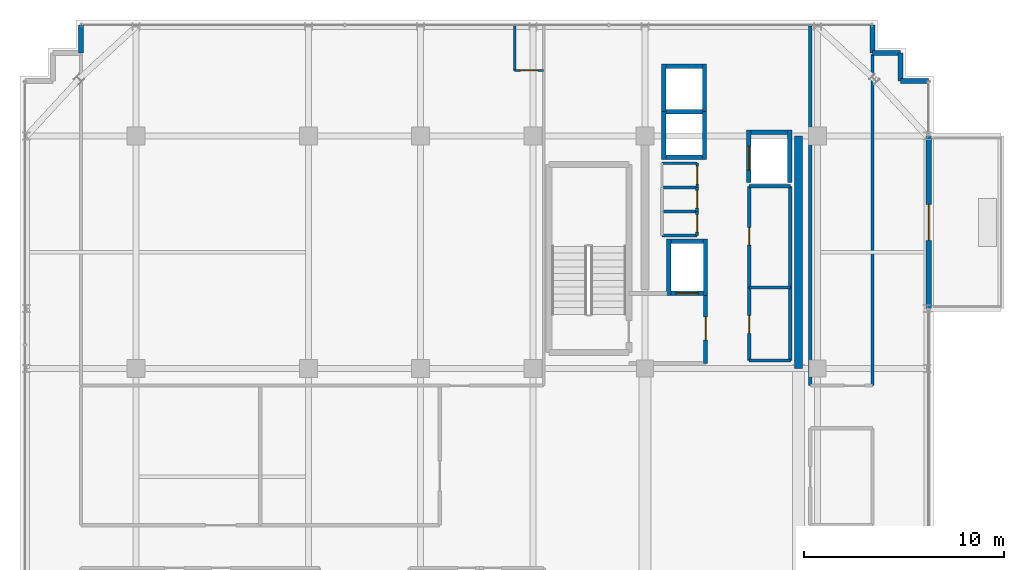
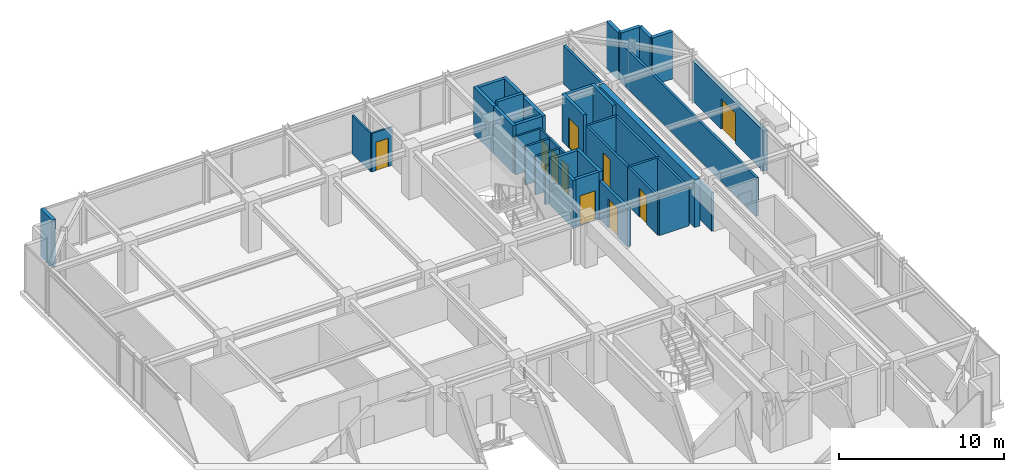
# One storey, part 29 of 33: 40 walls, 10 doors, 10 openings.
"""IFC4 building model written with IfcOpenShell, lengths in metres."""

import ifcopenshell
import ifcopenshell.guid

model = None  # the IFC model being written
_history = None  # IfcOwnerHistory: only IFC2X3 demands one
_inside = {}  # id of a spatial element -> (the spatial element, [elements in it])
_under = {}  # id of a project, library or spatial element -> (it, [spatial elements below it])
_declared = {}  # id of a project -> (the project, [libraries it declares])
_typed = {}  # id of a type object -> (the type object, [elements of that type])
_made_of = {}  # id of a material, layer set ... -> (it, [elements and type objects made of it])


def new_model(schema):
    """Start an empty IFC model of exactly this schema.

    Asked for "IFC4X3", IfcOpenShell would pick the latest addendum, in which some entities
    have other attributes; the version numbers below select the first issue.
    IFC2X3 requires an IfcOwnerHistory on every rooted entity: one is made here for all.
    """
    global model, _history
    if schema == "IFC4X3":
        model = ifcopenshell.file(schema_version=(4, 3, 0, 0))
    else:
        model = ifcopenshell.file(schema=schema)
    _inside.clear()
    _under.clear()
    _declared.clear()
    _typed.clear()
    _made_of.clear()
    _history = None
    if model.schema == "IFC2X3":
        org = make("IfcOrganization", Name="unknown")
        user = make(
            "IfcPersonAndOrganization",
            ThePerson=make("IfcPerson", FamilyName="unknown"),
            TheOrganization=org,
        )
        app = make(
            "IfcApplication",
            ApplicationDeveloper=org,
            Version="unknown",
            ApplicationFullName="unknown",
            ApplicationIdentifier="unknown",
        )
        _history = make(
            "IfcOwnerHistory",
            OwningUser=user,
            OwningApplication=app,
            ChangeAction="ADDED",
            CreationDate=0,
        )
    return model


def make(cls, **values):
    """One entity of the class cls with the attributes given. An attribute that is None is left unset."""
    return model.create_entity(
        cls, **{name: value for name, value in values.items() if value is not None}
    )


def rooted(cls, **values):
    """An entity with a GlobalId (a new one), such as an element, a storey or a relation."""
    return make(cls, GlobalId=ifcopenshell.guid.new(), OwnerHistory=_history, **values)


def si_unit(unit_type, name, prefix=None):
    """IfcSIUnit, for example si_unit("LENGTHUNIT", "METRE", prefix="MILLI")."""
    return make("IfcSIUnit", UnitType=unit_type, Prefix=prefix, Name=name)


def assignment(units):
    """IfcUnitAssignment: the units of a project."""
    return None if units is None else make("IfcUnitAssignment", Units=units)


def point(xyz):
    """IfcCartesianPoint."""
    return None if xyz is None else make("IfcCartesianPoint", Coordinates=xyz)


def direction(xyz):
    """IfcDirection."""
    return None if xyz is None else make("IfcDirection", DirectionRatios=xyz)


def frame(location, z_axis=None, x_axis=None):
    """IfcAxis2Placement3D, a coordinate frame: its origin and axes. An axis left out is left unset."""
    return make(
        "IfcAxis2Placement3D",
        Location=point(location),
        Axis=direction(z_axis),
        RefDirection=direction(x_axis),
    )


def frame_2d(location, x_axis=None):
    """IfcAxis2Placement2D, a coordinate frame in the plane: its origin and x axis."""
    return make(
        "IfcAxis2Placement2D", Location=point(location), RefDirection=direction(x_axis)
    )


def origin():
    """The frame at (0, 0, 0) with its axes left unset."""
    return frame((0.0, 0.0, 0.0))


def place(relative_to, where):
    """IfcLocalPlacement: puts the frame where relative to a parent placement (None: the world)."""
    return make(
        "IfcLocalPlacement", PlacementRelTo=relative_to, RelativePlacement=where
    )


def context(
    kind, dimensions, precision=None, world=None, true_north=None, identifier=None
):
    """IfcGeometricRepresentationContext, for example the 3D "Model" context."""
    return make(
        "IfcGeometricRepresentationContext",
        ContextIdentifier=identifier,
        ContextType=kind,
        CoordinateSpaceDimension=dimensions,
        Precision=precision,
        WorldCoordinateSystem=world,
        TrueNorth=true_north,
    )


def subcontext(parent, identifier, kind, view, scale=None):
    """IfcGeometricRepresentationSubContext, for example "Body" below "Model"."""
    return make(
        "IfcGeometricRepresentationSubContext",
        ContextIdentifier=identifier,
        ContextType=kind,
        ParentContext=parent,
        TargetScale=scale,
        TargetView=view,
    )


def project(units=None, contexts=None):
    """IfcProject with its units and contexts."""
    return rooted(
        "IfcProject",
        Name="project",
        RepresentationContexts=contexts,
        UnitsInContext=assignment(units),
    )


def spatial(cls, under=None, at=None, **own):
    """A site, building, storey or space (cls), placed at a placement, below another one or the project."""
    s = rooted(cls, ObjectPlacement=at, **own)
    if under is not None:
        _under.setdefault(under.id(), (under, []))[1].append(s)
    return s


def profile(cls, at=None, kind="AREA", **sizes):
    """A parametric profile (cls). Its sizes go by their IFC names, for example OverallWidth=200.0."""
    return make(cls, ProfileType=kind, Position=at, **sizes)


def rectangle(**sizes):
    """IfcRectangleProfileDef."""
    return profile("IfcRectangleProfileDef", **sizes)


def extrude(swept, where, along, depth):
    """IfcExtrudedAreaSolid: the profile swept, set in the frame where, extruded along a direction by depth."""
    return make(
        "IfcExtrudedAreaSolid",
        SweptArea=swept,
        Position=where,
        ExtrudedDirection=direction(along),
        Depth=depth,
    )


def shape(context_of_items, identifier, shape_type, items):
    """IfcShapeRepresentation: the items that make up one representation, for example the "Body"."""
    return make(
        "IfcShapeRepresentation",
        ContextOfItems=context_of_items,
        RepresentationIdentifier=identifier,
        RepresentationType=shape_type,
        Items=items,
    )


def source(mapping_origin, context_of_items, identifier, shape_type, items):
    """IfcRepresentationMap: a shape defined once, which mapped items show again and again."""
    return make(
        "IfcRepresentationMap",
        MappingOrigin=mapping_origin,
        MappedRepresentation=shape(context_of_items, identifier, shape_type, items),
    )


def transform(
    local_origin,
    x_axis=None,
    y_axis=None,
    z_axis=None,
    scale=None,
    scale2=None,
    scale3=None,
    uniform=True,
):
    """IfcCartesianTransformationOperator3D, or its non-uniform kind. x_axis, y_axis, z_axis: its Axis1, 2, 3."""
    if uniform:
        return make(
            "IfcCartesianTransformationOperator3D",
            Axis1=direction(x_axis),
            Axis2=direction(y_axis),
            LocalOrigin=point(local_origin),
            Scale=scale,
            Axis3=direction(z_axis),
        )
    return make(
        "IfcCartesianTransformationOperator3DnonUniform",
        Axis1=direction(x_axis),
        Axis2=direction(y_axis),
        LocalOrigin=point(local_origin),
        Scale=scale,
        Axis3=direction(z_axis),
        Scale2=scale2,
        Scale3=scale3,
    )


def mapped(mapping_source, mapping_target):
    """IfcMappedItem: shows the shape of a source again, moved by a transform."""
    return make(
        "IfcMappedItem", MappingSource=mapping_source, MappingTarget=mapping_target
    )


def material(Name=None, Category=None):
    """IfcMaterial."""
    return make("IfcMaterial", Name=Name, Category=Category)


def layer(
    of_material, thickness, ventilated=None, Name=None, Category=None, Priority=None
):
    """IfcMaterialLayer: one layer of a wall or slab, of a material (None: an air gap)."""
    return make(
        "IfcMaterialLayer",
        Material=of_material,
        LayerThickness=thickness,
        IsVentilated=ventilated,
        Name=Name,
        Category=Category,
        Priority=Priority,
    )


def layer_set(layers, Name=None):
    """IfcMaterialLayerSet."""
    return make("IfcMaterialLayerSet", MaterialLayers=layers, LayerSetName=Name)


def made_of(thing, what):
    """Note that an element or type object is made of a material, layer set ...; save() writes the relation."""
    if what is not None:
        _made_of.setdefault(what.id(), (what, []))[1].append(thing)
    return thing


def type_object(cls, material=None, **own):
    """A type object (cls), such as IfcWallType, which elements share."""
    return made_of(rooted(cls, **own), material)


def element(
    cls,
    number,
    at=None,
    inside=None,
    cuts=None,
    type_object=None,
    material=None,
    context=None,
    identifier="Body",
    shape_type=None,
    held_by="IfcProductDefinitionShape",
    body=None,
    shapes=None,
    **own,
):
    """One element of the class cls, such as IfcWall. Its Tag is "e" and its number.

    at: its placement. inside: the storey or other place that contains it. cuts: it is an
    opening in that element (IfcRelVoidsElement). A single representation is given by context,
    identifier, shape_type and body (its items); several are given by shapes. held_by: the class
    of the entity that holds the representations. save() writes the other relations.
    """
    e = rooted(cls, Tag="e%d" % number, ObjectPlacement=at, **own)
    if body is not None:
        shapes = [shape(context, identifier, shape_type, body)]
    if shapes is not None:
        e.Representation = make(held_by, Representations=shapes)
    if inside is not None:
        _inside.setdefault(inside.id(), (inside, []))[1].append(e)
    if cuts is not None:
        rooted(
            "IfcRelVoidsElement", RelatingBuildingElement=cuts, RelatedOpeningElement=e
        )
    if type_object is not None:
        _typed.setdefault(type_object.id(), (type_object, []))[1].append(e)
    return made_of(e, material)


def fill(opening, filler):
    """IfcRelFillsElement: the door or window that sits in an opening."""
    return rooted(
        "IfcRelFillsElement",
        RelatingOpeningElement=opening,
        RelatedBuildingElement=filler,
    )


def aggregate(whole, parts):
    """IfcRelAggregates: a whole, such as a stair, and the parts it consists of."""
    return rooted("IfcRelAggregates", RelatingObject=whole, RelatedObjects=parts)


def save(model, path):
    """Write the relations noted so far, then the file.

    IfcRelAggregates (storeys below a building ...), IfcRelContainedInSpatialStructure (elements
    in a storey), IfcRelDefinesByType, IfcRelAssociatesMaterial and IfcRelDeclares: one each for
    every whole, place, type object, material and project.
    """
    for whole, parts in _under.values():
        aggregate(whole, parts)
    for where, things in _inside.values():
        rooted(
            "IfcRelContainedInSpatialStructure",
            RelatedElements=things,
            RelatingStructure=where,
        )
    for kind, things in _typed.values():
        rooted("IfcRelDefinesByType", RelatedObjects=things, RelatingType=kind)
    for what, things in _made_of.values():
        rooted("IfcRelAssociatesMaterial", RelatedObjects=things, RelatingMaterial=what)
    for by, libraries in _declared.values():
        rooted("IfcRelDeclares", RelatingContext=by, RelatedDefinitions=libraries)
    model.write(path)


model = new_model("IFC4")

# Units and contexts
model_context = context("Model", 3, precision=1e-05, world=origin(), true_north=direction((0.0, 1.0)))
body_context = subcontext(model_context, "Body", "Model", "MODEL_VIEW")
ifc_project = project(units=[si_unit("LENGTHUNIT", "METRE"), si_unit("AREAUNIT", "SQUARE_METRE"), si_unit("VOLUMEUNIT", "CUBIC_METRE"), si_unit("PLANEANGLEUNIT", "RADIAN"), si_unit("MASSUNIT", "GRAM", prefix="KILO")], contexts=[model_context])

# Site, building, storey
site_placement = place(None, origin())
site = spatial("IfcSite", under=ifc_project, at=site_placement, CompositionType="ELEMENT")
building_placement = place(site_placement, origin())
building = spatial("IfcBuilding", under=site, at=building_placement, Name="Nahalor Promenade Grand Hotel", CompositionType="ELEMENT")
storey_placement = place(building_placement, frame((0.0, 0.0, 315.75)))
storey = spatial("IfcBuildingStorey", under=building, at=storey_placement, Name="L81", CompositionType="ELEMENT", Elevation=315.75)

# Walls
ifc_material_1 = material(Name="Concrete B-50 (C40/50)", Category="concrete")
ifc_layer_1 = layer(ifc_material_1, 0.39990234375)
ifc_layer_set_1 = layer_set([ifc_layer_1], Name="Concrete B-50 (C40/50)")
wall_type_1 = type_object("IfcWallType", Name="Wall-CoreShear-400", PredefinedType="SHEAR", material=ifc_layer_set_1)
shared_shape_1 = source(origin(), body_context, "Body", "SweptSolid", [
    extrude(rectangle(XDim=11.60009765625, YDim=0.39990234375, at=frame_2d((5.800048828125, 0.0))), origin(), (0.0, 0.0, 1.0), 3.5),
])
wall_1_placement = place(storey_placement, frame((16.050048828125, 5.39990234375, 0.0), z_axis=(0.0, 0.0, 1.0), x_axis=(0.0, 1.0, 0.0)))
element("IfcWall", 1, at=wall_1_placement, inside=storey, type_object=wall_type_1, Name="CWALL-L81-NE", PredefinedType="SHEAR", context=body_context, shape_type="MappedRepresentation", body=[
    mapped(shared_shape_1, transform((0.0, 0.0, 0.0), scale=1.0)),
])
ifc_layer_2 = layer(ifc_material_1, 0.219970703125)
ifc_layer_set_2 = layer_set([ifc_layer_2], Name="Concrete B-50 (C40/50)")
wall_type_2 = type_object("IfcWallType", Name="Wall-LiftShaft-220", PredefinedType="SHEAR", material=ifc_layer_set_2)
shared_shape_2 = source(origin(), body_context, "Body", "SweptSolid", [
    extrude(rectangle(XDim=1.820068359375, YDim=0.219970703125, at=frame_2d((0.91015625, 0.0))), origin(), (0.0, 0.0, 1.0), 3.5),
])
for number, where, z_axis, x_axis, name in (
    (2, (9.43994140625, 15.949951171875, 0.0), (0.0, 0.0, 1.0), (1.0, 0.0, 0.0), "L81 Lift OB1 Hoistway Wall S"),
    (3, (9.43994140625, 20.5, 0.0), (0.0, 0.0, 1.0), (1.0, 0.0, 0.0), "L81 Lift OB2 Hoistway Wall N"),
    (4, (13.68994140625, 17.199951171875, 0.0), (0.0, 0.0, 1.0), (1.0, 0.0, 0.0), "L81 Lift SV1 Hoistway Wall N"),
):
    element("IfcWall", number, at=place(storey_placement, frame(where, z_axis=z_axis, x_axis=x_axis)), inside=storey, type_object=wall_type_2, Name=name, PredefinedType="SHEAR", context=body_context, shape_type="MappedRepresentation", body=[
        mapped(shared_shape_2, transform((0.0, 0.0, 0.0), scale=1.0)),
    ])
shared_shape_3 = source(origin(), body_context, "Body", "SweptSolid", [
    extrude(rectangle(XDim=1.820068359375, YDim=0.219970703125, at=frame_2d((0.91015625, 0.0))), origin(), (0.0, 0.0, 1.0), 3.800048828125),
])
wall_2_placement = place(storey_placement, frame((9.43994140625, 18.22509765625, 0.0), z_axis=(0.0, 0.0, 1.0), x_axis=(1.0, 0.0, 0.0)))
element("IfcWall", 5, at=wall_2_placement, inside=storey, type_object=wall_type_2, Name="L81 Lift OB1 Hoistway Wall N", PredefinedType="SHEAR", context=body_context, shape_type="MappedRepresentation", body=[
    mapped(shared_shape_3, transform((0.0, 0.0, 0.0), scale=1.0)),
])
shared_shape_4 = source(origin(), body_context, "Body", "SweptSolid", [
    extrude(rectangle(XDim=2.385009765625, YDim=0.219970703125, at=frame_2d((1.1923828125, 0.0))), origin(), (0.0, 0.0, 1.0), 3.5),
])
for number, where, z_axis, x_axis, name in (
    (6, (9.330078125, 15.840087890625, 0.0), (0.0, 0.0, 1.0), (0.0, 1.0, 0.0), "L81 Lift OB1 Hoistway Wall W"),
    (7, (11.3701171875, 15.840087890625, 0.0), (0.0, 0.0, 1.0), (0.0, 1.0, 0.0), "L81 Lift OB1 Hoistway Wall E"),
    (8, (9.330078125, 18.22509765625, 0.0), (0.0, 0.0, 1.0), (0.0, 1.0, 0.0), "L81 Lift OB2 Hoistway Wall W"),
    (9, (11.3701171875, 18.22509765625, 0.0), (0.0, 0.0, 1.0), (0.0, 1.0, 0.0), "L81 Lift OB2 Hoistway Wall E"),
):
    element("IfcWall", number, at=place(storey_placement, frame(where, z_axis=z_axis, x_axis=x_axis)), inside=storey, type_object=wall_type_2, Name=name, PredefinedType="SHEAR", context=body_context, shape_type="MappedRepresentation", body=[
        mapped(shared_shape_4, transform((0.0, 0.0, 0.0), scale=1.0)),
    ])
shared_shape_5 = source(origin(), body_context, "Body", "SweptSolid", [
    extrude(rectangle(XDim=2.820068359375, YDim=0.219970703125, at=frame_2d((1.41015625, 0.0))), origin(), (0.0, 0.0, 1.0), 3.5),
])
for number, where, z_axis, x_axis, name in (
    (10, (9.580078125, 9.0400390625, 0.0), (0.0, 0.0, 1.0), (0.0, 1.0, 0.0), "L81 Lift FL1 Hoistway Wall W"),
    (11, (11.419921875, 9.0400390625, 0.0), (0.0, 0.0, 1.0), (0.0, 1.0, 0.0), "L81 Lift FL1 Hoistway Wall E"),
):
    element("IfcWall", number, at=place(storey_placement, frame(where, z_axis=z_axis, x_axis=x_axis)), inside=storey, type_object=wall_type_2, Name=name, PredefinedType="SHEAR", context=body_context, shape_type="MappedRepresentation", body=[
        mapped(shared_shape_5, transform((0.0, 0.0, 0.0), scale=1.0)),
    ])

# Wall, opening, door
shared_shape_6 = source(origin(), body_context, "Body", "SweptSolid", [
    extrude(rectangle(XDim=1.6201171875, YDim=0.219970703125, at=frame_2d((0.81005859375, 0.0))), origin(), (0.0, 0.0, 1.0), 3.5),
])
wall_3_placement = place(storey_placement, frame((9.68994140625, 9.14990234375, 0.0), z_axis=(0.0, 0.0, 1.0), x_axis=(1.0, 0.0, 0.0)))
wall_3 = element("IfcWall", 12, at=wall_3_placement, inside=storey, type_object=wall_type_2, Name="L81 Lift FL1 Hoistway Wall S", PredefinedType="SHEAR", context=body_context, shape_type="MappedRepresentation", body=[
    mapped(shared_shape_6, transform((0.0, 0.0, 0.0), scale=1.0)),
])
opening_1_placement = place(wall_3_placement, frame((0.260009765625, 0.0, 0.0)))
opening_1 = element("IfcOpeningElement", 13, at=opening_1_placement, cuts=wall_3, Name="Opening LD-02", PredefinedType="OPENING", context=body_context, shape_type="SweptSolid", body=[
    extrude(rectangle(XDim=1.10009765625, YDim=2.199951171875, at=frame_2d((0.550048828125, 1.10009765625))), frame((0.0, 0.119873046875, 0.0), z_axis=(0.0, -1.0, 0.0), x_axis=(1.0, 0.0, 0.0)), (0.0, 0.0, 1.0), 0.239990234375),
])
ifc_material_2 = material(Name="Steel S355JR", Category="steel")
door_type_1 = type_object("IfcDoorType", Name="Door-LiftFF-1100", OperationType="DOUBLE_DOOR_SLIDING", PredefinedType="DOOR", material=ifc_material_2)
shared_shape_7 = source(origin(), body_context, "Body", "SweptSolid", [
    extrude(rectangle(XDim=1.10009765625, YDim=2.199951171875, at=frame_2d((0.550048828125, 1.10009765625))), frame((0.0, 0.02490234375, 0.0), z_axis=(0.0, -1.0, 0.0), x_axis=(1.0, 0.0, 0.0)), (0.0, 0.0, 1.0), 0.050048828125),
])
door_1_placement = place(opening_1_placement, frame((1.10009765625, 0.0, 0.0), z_axis=(0.0, 0.0, 1.0), x_axis=(-1.0, 0.0, 0.0)))
door_1 = element("IfcDoor", 14, at=door_1_placement, inside=storey, type_object=door_type_1, Name="DR-LIFT-FL1-L81", OperationType="DOUBLE_DOOR_SLIDING", OverallHeight=2.199951171875, OverallWidth=1.10009765625, PredefinedType="DOOR", context=body_context, shape_type="MappedRepresentation", body=[
    mapped(shared_shape_7, transform((0.0, 0.0, 0.0), scale=1.0)),
])
fill(opening_1, door_1)

# Wall
wall_4_placement = place(storey_placement, frame((9.68994140625, 11.75, 0.0), z_axis=(0.0, 0.0, 1.0), x_axis=(1.0, 0.0, 0.0)))
element("IfcWall", 15, at=wall_4_placement, inside=storey, type_object=wall_type_2, Name="L81 Lift FL1 Hoistway Wall N", PredefinedType="SHEAR", context=body_context, shape_type="MappedRepresentation", body=[
    mapped(shared_shape_6, transform((0.0, 0.0, 0.0), scale=1.0)),
])

# Wall, opening, door
shared_shape_8 = source(origin(), body_context, "Body", "SweptSolid", [
    extrude(rectangle(XDim=2.610107421875, YDim=0.219970703125, at=frame_2d((1.30517578125, 0.0))), origin(), (0.0, 0.0, 1.0), 3.5),
])
wall_5_placement = place(storey_placement, frame((13.580078125, 14.699951171875, 0.0), z_axis=(0.0, 0.0, 1.0), x_axis=(0.0, 1.0, 0.0)))
wall_5 = element("IfcWall", 16, at=wall_5_placement, inside=storey, type_object=wall_type_2, Name="L81 Lift SV1 Hoistway Wall W", PredefinedType="SHEAR", context=body_context, shape_type="MappedRepresentation", body=[
    mapped(shared_shape_8, transform((0.0, 0.0, 0.0), scale=1.0)),
])
opening_2_placement = place(wall_5_placement, frame((0.60009765625, 0.0, 0.0)))
opening_2 = element("IfcOpeningElement", 17, at=opening_2_placement, cuts=wall_5, Name="Opening LD-03", PredefinedType="OPENING", context=body_context, shape_type="SweptSolid", body=[
    extrude(rectangle(XDim=1.199951171875, YDim=2.199951171875, at=frame_2d((0.60009765625, 1.10009765625))), frame((0.0, 0.119873046875, 0.0), z_axis=(0.0, -1.0, 0.0), x_axis=(1.0, 0.0, 0.0)), (0.0, 0.0, 1.0), 0.239990234375),
])
door_type_2 = type_object("IfcDoorType", Name="Door-LiftService-1200", OperationType="DOUBLE_DOOR_SLIDING", PredefinedType="DOOR", material=ifc_material_2)
shared_shape_9 = source(origin(), body_context, "Body", "SweptSolid", [
    extrude(rectangle(XDim=1.199951171875, YDim=2.199951171875, at=frame_2d((0.60009765625, 1.10009765625))), frame((0.0, 0.02490234375, 0.0), z_axis=(0.0, -1.0, 0.0), x_axis=(1.0, 0.0, 0.0)), (0.0, 0.0, 1.0), 0.050048828125),
])
door_2_placement = place(opening_2_placement, origin())
door_2 = element("IfcDoor", 18, at=door_2_placement, inside=storey, type_object=door_type_2, Name="DR-LIFT-SV1-L81", OperationType="DOUBLE_DOOR_SLIDING", OverallHeight=2.199951171875, OverallWidth=1.199951171875, PredefinedType="DOOR", context=body_context, shape_type="MappedRepresentation", body=[
    mapped(shared_shape_9, transform((0.0, 0.0, 0.0), scale=1.0)),
])
fill(opening_2, door_2)

# Walls
wall_6_placement = place(storey_placement, frame((15.6201171875, 14.699951171875, 0.0), z_axis=(0.0, 0.0, 1.0), x_axis=(0.0, 1.0, 0.0)))
element("IfcWall", 19, at=wall_6_placement, inside=storey, type_object=wall_type_2, Name="L81 Lift SV1 Hoistway Wall E", PredefinedType="SHEAR", context=body_context, shape_type="MappedRepresentation", body=[
    mapped(shared_shape_8, transform((0.0, 0.0, 0.0), scale=1.0)),
])
ifc_material_3 = material(Name="Concrete B-40 (C32/40)", Category="concrete")
ifc_layer_3 = layer(ifc_material_3, 0.25)
ifc_layer_set_3 = layer_set([ifc_layer_3], Name="Concrete B-40 (C32/40)")
wall_type_3 = type_object("IfcWallType", Name="Wall-BronzePier-250", PredefinedType="STANDARD", material=ifc_layer_set_3)
shared_shape_10 = source(origin(), body_context, "Body", "SweptSolid", [
    extrude(rectangle(XDim=1.400146484375, YDim=0.25, at=frame_2d((0.7001953125, 0.0))), origin(), (0.0, 0.0, 1.0), 3.5),
])
for number, where, z_axis, x_axis, name in (
    (20, (21.159912109375, 19.760009765625, 0.0), (0.0, 0.0, 1.0), (1.0, 0.0, 0.0), "W-L81-SR-05"),
    (21, (19.760009765625, 21.159912109375, 0.0), (0.0, 0.0, 1.0), (0.0, 1.0, 0.0), "W-L81-SR-08"),
    (22, (-19.760009765625, 21.159912109375, 0.0), (0.0, 0.0, 1.0), (0.0, 1.0, 0.0), "W-L81-SR-09"),
):
    element("IfcWall", number, at=place(storey_placement, frame(where, z_axis=z_axis, x_axis=x_axis)), inside=storey, type_object=wall_type_3, Name=name, PredefinedType="STANDARD", context=body_context, shape_type="MappedRepresentation", body=[
        mapped(shared_shape_10, transform((0.0, 0.0, 0.0), scale=1.0)),
    ])
shared_shape_11 = source(origin(), body_context, "Body", "SweptSolid", [
    extrude(rectangle(XDim=1.39990234375, YDim=0.25, at=frame_2d((0.699951171875, 0.0))), origin(), (0.0, 0.0, 1.0), 3.5),
])
for number, where, z_axis, x_axis, name in (
    (23, (21.159912109375, 19.760009765625, 0.0), (0.0, 0.0, 1.0), (0.0, 1.0, 0.0), "W-L81-SR-06"),
    (24, (19.760009765625, 21.159912109375, 0.0), (0.0, 0.0, 1.0), (1.0, 0.0, 0.0), "W-L81-SR-07"),
):
    element("IfcWall", number, at=place(storey_placement, frame(where, z_axis=z_axis, x_axis=x_axis)), inside=storey, type_object=wall_type_3, Name=name, PredefinedType="STANDARD", context=body_context, shape_type="MappedRepresentation", body=[
        mapped(shared_shape_11, transform((0.0, 0.0, 0.0), scale=1.0)),
    ])

# Wall, opening, door
ifc_layer_4 = layer(ifc_material_3, 0.260009765625)
ifc_layer_set_4 = layer_set([ifc_layer_4], Name="Concrete B-40 (C32/40)")
wall_type_4 = type_object("IfcWallType", Name="Wall-BalconyWall-260", PredefinedType="STANDARD", material=ifc_layer_set_4)
shared_shape_12 = source(origin(), body_context, "Body", "SweptSolid", [
    extrude(rectangle(XDim=8.60009765625, YDim=0.260009765625, at=frame_2d((4.300048828125, 0.0))), origin(), (0.0, 0.0, 1.0), 2.97998046875),
])
wall_7_placement = place(storey_placement, frame((22.56005859375, 8.39990234375, 0.0), z_axis=(0.0, 0.0, 1.0), x_axis=(0.0, 1.0, 0.0)))
wall_7 = element("IfcWall", 25, at=wall_7_placement, inside=storey, type_object=wall_type_4, Name="W-L81-BALC-E-2", PredefinedType="STANDARD", context=body_context, shape_type="MappedRepresentation", body=[
    mapped(shared_shape_12, transform((0.0, 0.0, 0.0), scale=1.0)),
])
opening_3_placement = place(wall_7_placement, frame((3.39990234375, 0.0, 0.0)))
opening_3 = element("IfcOpeningElement", 26, at=opening_3_placement, cuts=wall_7, Name="Opening D-BC1", PredefinedType="OPENING", context=body_context, shape_type="SweptSolid", body=[
    extrude(rectangle(XDim=1.800048828125, YDim=2.25, at=frame_2d((0.89990234375, 1.125))), frame((0.0, 0.139892578125, 0.0), z_axis=(0.0, -1.0, 0.0), x_axis=(1.0, 0.0, 0.0)), (0.0, 0.0, 1.0), 0.280029296875),
])
ifc_material_4 = material(Name="Anodised Bronze Aluminium EN AW-6063 T6", Category="aluminium")
door_type_3 = type_object("IfcDoorType", Name="Door-BalconySlide-1800", OperationType="DOUBLE_DOOR_SLIDING", PredefinedType="DOOR", material=ifc_material_4)
shared_shape_13 = source(origin(), body_context, "Body", "SweptSolid", [
    extrude(rectangle(XDim=1.800048828125, YDim=2.25, at=frame_2d((0.89990234375, 1.125))), frame((0.0, 0.02490234375, 0.0), z_axis=(0.0, -1.0, 0.0), x_axis=(1.0, 0.0, 0.0)), (0.0, 0.0, 1.0), 0.050048828125),
])
door_3_placement = place(opening_3_placement, frame((1.800048828125, 0.0, 0.0), z_axis=(0.0, 0.0, 1.0), x_axis=(-1.0, 0.0, 0.0)))
door_3 = element("IfcDoor", 27, at=door_3_placement, inside=storey, type_object=door_type_3, Name="DR-L81-BALC-E-2", OperationType="DOUBLE_DOOR_SLIDING", OverallHeight=2.25, OverallWidth=1.800048828125, PredefinedType="DOOR", context=body_context, shape_type="MappedRepresentation", body=[
    mapped(shared_shape_13, transform((0.0, 0.0, 0.0), scale=1.0)),
])
fill(opening_3, door_3)

ifc_layer_5 = layer(ifc_material_3, 0.199951171875)
ifc_layer_set_5 = layer_set([ifc_layer_5], Name="Concrete B-40 (C32/40)")
wall_type_5 = type_object("IfcWallType", Name="Wall-PartFire-200", PredefinedType="PARTITIONING", material=ifc_layer_set_5)
shared_shape_14 = source(origin(), body_context, "Body", "SweptSolid", [
    extrude(rectangle(XDim=3.5, YDim=0.199951171875, at=frame_2d((1.75, 0.0))), origin(), (0.0, 0.0, 1.0), 2.840087890625),
])
wall_8_placement = place(storey_placement, frame((11.419921875, 5.64990234375, 0.0), z_axis=(0.0, 0.0, 1.0), x_axis=(0.0, 1.0, 0.0)))
wall_8 = element("IfcWall", 28, at=wall_8_placement, inside=storey, type_object=wall_type_5, Name="W-L81-FF1-E", PredefinedType="PARTITIONING", context=body_context, shape_type="MappedRepresentation", body=[
    mapped(shared_shape_14, transform((0.0, 0.0, 0.0), scale=1.0)),
])
opening_4_placement = place(wall_8_placement, frame((1.175048828125, 0.0, 0.0)))
opening_4 = element("IfcOpeningElement", 29, at=opening_4_placement, cuts=wall_8, Name="Opening D-FF1", PredefinedType="OPENING", context=body_context, shape_type="SweptSolid", body=[
    extrude(rectangle(XDim=1.14990234375, YDim=2.14990234375, at=frame_2d((0.574951171875, 1.074951171875))), frame((0.0, 0.10986328125, 0.0), z_axis=(0.0, -1.0, 0.0), x_axis=(1.0, 0.0, 0.0)), (0.0, 0.0, 1.0), 0.219970703125),
])
door_type_4 = type_object("IfcDoorType", Name="Door-FFLobby-1150", OperationType="NOTDEFINED", PredefinedType="DOOR", material=ifc_material_2)
shared_shape_15 = source(origin(), body_context, "Body", "SweptSolid", [
    extrude(rectangle(XDim=1.14990234375, YDim=2.14990234375, at=frame_2d((0.574951171875, 1.074951171875))), frame((0.0, 0.02490234375, 0.0), z_axis=(0.0, -1.0, 0.0), x_axis=(1.0, 0.0, 0.0)), (0.0, 0.0, 1.0), 0.050048828125),
])
door_4_placement = place(opening_4_placement, frame((1.14990234375, 0.0, 0.0), z_axis=(0.0, 0.0, 1.0), x_axis=(-1.0, 0.0, 0.0)))
door_4 = element("IfcDoor", 30, at=door_4_placement, inside=storey, type_object=door_type_4, Name="DR-L81-FFL1", OperationType="SINGLE_SWING_RIGHT", OverallHeight=2.14990234375, OverallWidth=1.14990234375, PredefinedType="DOOR", context=body_context, shape_type="MappedRepresentation", body=[
    mapped(shared_shape_15, transform((0.0, 0.0, 0.0), scale=1.0)),
])
fill(opening_4, door_4)

# Walls
ifc_material_5 = material(Name="Acoustic Mineral Gypsum", Category="gypsum")
ifc_layer_6 = layer(ifc_material_5, 0.14990234375)
ifc_layer_set_6 = layer_set([ifc_layer_6], Name="Acoustic Mineral Gypsum")
wall_type_6 = type_object("IfcWallType", Name="Wall-PartService-150", PredefinedType="PARTITIONING", material=ifc_layer_set_6)
shared_shape_16 = source(origin(), body_context, "Body", "SweptSolid", [
    extrude(rectangle(XDim=1.75, YDim=0.14990234375, at=frame_2d((0.875, 0.0))), origin(), (0.0, 0.0, 1.0), 2.840087890625),
])
for number, where, z_axis, x_axis, name in (
    (31, (9.25, 12.050048828125, 0.0), (0.0, 0.0, 1.0), (1.0, 0.0, 0.0), "W-L81-CK3A-S"),
    (32, (9.25, 13.25, 0.0), (0.0, 0.0, 1.0), (1.0, 0.0, 0.0), "W-L81-CK3A-N"),
    (33, (9.25, 14.449951171875, 0.0), (0.0, 0.0, 1.0), (1.0, 0.0, 0.0), "W-L81-CK3B-N"),
):
    element("IfcWall", number, at=place(storey_placement, frame(where, z_axis=z_axis, x_axis=x_axis)), inside=storey, type_object=wall_type_6, Name=name, PredefinedType="PARTITIONING", context=body_context, shape_type="MappedRepresentation", body=[
        mapped(shared_shape_16, transform((0.0, 0.0, 0.0), scale=1.0)),
    ])

# Wall, opening, door
shared_shape_17 = source(origin(), body_context, "Body", "SweptSolid", [
    extrude(rectangle(XDim=1.199951171875, YDim=0.14990234375, at=frame_2d((0.60009765625, 0.0))), origin(), (0.0, 0.0, 1.0), 2.840087890625),
])
wall_9_placement = place(storey_placement, frame((11.0, 12.050048828125, 0.0), z_axis=(0.0, 0.0, 1.0), x_axis=(0.0, 1.0, 0.0)))
wall_9 = element("IfcWall", 34, at=wall_9_placement, inside=storey, type_object=wall_type_6, Name="W-L81-CK3A-E", PredefinedType="PARTITIONING", context=body_context, shape_type="MappedRepresentation", body=[
    mapped(shared_shape_17, transform((0.0, 0.0, 0.0), scale=1.0)),
])
opening_5_placement = place(wall_9_placement, frame((0.159912109375, 0.0, 0.0)))
opening_5 = element("IfcOpeningElement", 35, at=opening_5_placement, cuts=wall_9, Name="Opening D-03", PredefinedType="OPENING", context=body_context, shape_type="SweptSolid", body=[
    extrude(rectangle(XDim=0.8798828125, YDim=2.10009765625, at=frame_2d((0.43994140625, 1.050048828125))), frame((0.0, 0.0849609375, 0.0), z_axis=(0.0, -1.0, 0.0), x_axis=(1.0, 0.0, 0.0)), (0.0, 0.0, 1.0), 0.169921875),
])
ifc_material_6 = material(Name="Fire-Rated Timber Composite", Category="wood")
door_type_5 = type_object("IfcDoorType", Name="Door-BathSwing-880", OperationType="NOTDEFINED", PredefinedType="DOOR", material=ifc_material_6)
shared_shape_18 = source(origin(), body_context, "Body", "SweptSolid", [
    extrude(rectangle(XDim=0.8798828125, YDim=2.10009765625, at=frame_2d((0.43994140625, 1.050048828125))), frame((0.0, 0.02490234375, 0.0), z_axis=(0.0, -1.0, 0.0), x_axis=(1.0, 0.0, 0.0)), (0.0, 0.0, 1.0), 0.050048828125),
])
door_5_placement = place(opening_5_placement, origin())
door_5 = element("IfcDoor", 36, at=door_5_placement, inside=storey, type_object=door_type_5, Name="DR-L81-CK3A", OperationType="SINGLE_SWING_RIGHT", OverallHeight=2.10009765625, OverallWidth=0.8798828125, PredefinedType="DOOR", context=body_context, shape_type="MappedRepresentation", body=[
    mapped(shared_shape_18, transform((0.0, 0.0, 0.0), scale=1.0)),
])
fill(opening_5, door_5)

wall_10_placement = place(storey_placement, frame((11.0, 13.25, 0.0), z_axis=(0.0, 0.0, 1.0), x_axis=(0.0, 1.0, 0.0)))
wall_10 = element("IfcWall", 37, at=wall_10_placement, inside=storey, type_object=wall_type_6, Name="W-L81-CK3B-E", PredefinedType="PARTITIONING", context=body_context, shape_type="MappedRepresentation", body=[
    mapped(shared_shape_17, transform((0.0, 0.0, 0.0), scale=1.0)),
])
opening_6_placement = place(wall_10_placement, frame((0.159912109375, 0.0, 0.0)))
opening_6 = element("IfcOpeningElement", 38, at=opening_6_placement, cuts=wall_10, Name="Opening D-03", PredefinedType="OPENING", context=body_context, shape_type="SweptSolid", body=[
    extrude(rectangle(XDim=0.8798828125, YDim=2.10009765625, at=frame_2d((0.43994140625, 1.050048828125))), frame((0.0, 0.0849609375, 0.0), z_axis=(0.0, -1.0, 0.0), x_axis=(1.0, 0.0, 0.0)), (0.0, 0.0, 1.0), 0.169921875),
])
door_6_placement = place(opening_6_placement, origin())
door_6 = element("IfcDoor", 39, at=door_6_placement, inside=storey, type_object=door_type_5, Name="DR-L81-CK3B", OperationType="SINGLE_SWING_LEFT", OverallHeight=2.10009765625, OverallWidth=0.8798828125, PredefinedType="DOOR", context=body_context, shape_type="MappedRepresentation", body=[
    mapped(shared_shape_18, transform((0.0, 0.0, 0.0), scale=1.0)),
])
fill(opening_6, door_6)

# Wall
ifc_layer_7 = layer(ifc_material_5, 0.1201171875)
ifc_layer_set_7 = layer_set([ifc_layer_7], Name="Acoustic Mineral Gypsum")
wall_type_7 = type_object("IfcWallType", Name="Wall-PartBath-120", PredefinedType="PARTITIONING", material=ifc_layer_set_7)
shared_shape_19 = source(origin(), body_context, "Body", "SweptSolid", [
    extrude(rectangle(XDim=1.75, YDim=0.1201171875, at=frame_2d((0.875, 0.0))), origin(), (0.0, 0.0, 1.0), 2.840087890625),
])
wall_11_placement = place(storey_placement, frame((9.25, 15.64990234375, 0.0), z_axis=(0.0, 0.0, 1.0), x_axis=(1.0, 0.0, 0.0)))
element("IfcWall", 40, at=wall_11_placement, inside=storey, type_object=wall_type_7, Name="W-L81-CK3C-N", PredefinedType="PARTITIONING", context=body_context, shape_type="MappedRepresentation", body=[
    mapped(shared_shape_19, transform((0.0, 0.0, 0.0), scale=1.0)),
])

# Wall, opening, door
shared_shape_20 = source(origin(), body_context, "Body", "SweptSolid", [
    extrude(rectangle(XDim=1.199951171875, YDim=0.1201171875, at=frame_2d((0.60009765625, 0.0))), origin(), (0.0, 0.0, 1.0), 2.840087890625),
])
wall_12_placement = place(storey_placement, frame((11.0, 14.449951171875, 0.0), z_axis=(0.0, 0.0, 1.0), x_axis=(0.0, 1.0, 0.0)))
wall_12 = element("IfcWall", 41, at=wall_12_placement, inside=storey, type_object=wall_type_7, Name="W-L81-CK3C-E", PredefinedType="PARTITIONING", context=body_context, shape_type="MappedRepresentation", body=[
    mapped(shared_shape_20, transform((0.0, 0.0, 0.0), scale=1.0)),
])
opening_7_placement = place(wall_12_placement, frame((0.159912109375, 0.0, 0.0)))
opening_7 = element("IfcOpeningElement", 42, at=opening_7_placement, cuts=wall_12, Name="Opening D-03", PredefinedType="OPENING", context=body_context, shape_type="SweptSolid", body=[
    extrude(rectangle(XDim=0.8798828125, YDim=2.10009765625, at=frame_2d((0.43994140625, 1.050048828125))), frame((0.0, 0.070068359375, 0.0), z_axis=(0.0, -1.0, 0.0), x_axis=(1.0, 0.0, 0.0)), (0.0, 0.0, 1.0), 0.14013671875),
])
door_7_placement = place(opening_7_placement, origin())
door_7 = element("IfcDoor", 43, at=door_7_placement, inside=storey, type_object=door_type_5, Name="DR-L81-CK3C", OperationType="SINGLE_SWING_RIGHT", OverallHeight=2.10009765625, OverallWidth=0.8798828125, PredefinedType="DOOR", context=body_context, shape_type="MappedRepresentation", body=[
    mapped(shared_shape_18, transform((0.0, 0.0, 0.0), scale=1.0)),
])
fill(opening_7, door_7)

# Walls
ifc_layer_8 = layer(ifc_material_5, 0.159912109375)
ifc_layer_set_8 = layer_set([ifc_layer_8], Name="Acoustic Mineral Gypsum")
wall_type_8 = type_object("IfcWallType", Name="Wall-PartCorridor-160", PredefinedType="PARTITIONING", material=ifc_layer_set_8)
shared_shape_21 = source(origin(), body_context, "Body", "SweptSolid", [
    extrude(rectangle(XDim=2.0498046875, YDim=0.159912109375, at=frame_2d((1.02490234375, 0.0))), origin(), (0.0, 0.0, 1.0), 2.840087890625),
])
for number, where, z_axis, x_axis, name in (
    (44, (13.60009765625, 5.800048828125, 0.0), (0.0, 0.0, 1.0), (1.0, 0.0, 0.0), "W-L81-FRB1A-S"),
    (45, (13.60009765625, 9.449951171875, 0.0), (0.0, 0.0, 1.0), (1.0, 0.0, 0.0), "W-L81-FRB1A-N"),
    (46, (13.60009765625, 14.5, 0.0), (0.0, 0.0, 1.0), (1.0, 0.0, 0.0), "W-L81-FRB1B-N"),
):
    element("IfcWall", number, at=place(storey_placement, frame(where, z_axis=z_axis, x_axis=x_axis)), inside=storey, type_object=wall_type_8, Name=name, PredefinedType="PARTITIONING", context=body_context, shape_type="MappedRepresentation", body=[
        mapped(shared_shape_21, transform((0.0, 0.0, 0.0), scale=1.0)),
    ])

# Wall, opening, door
shared_shape_22 = source(origin(), body_context, "Body", "SweptSolid", [
    extrude(rectangle(XDim=3.64990234375, YDim=0.159912109375, at=frame_2d((1.824951171875, 0.0))), origin(), (0.0, 0.0, 1.0), 2.840087890625),
])
wall_13_placement = place(storey_placement, frame((13.60009765625, 5.800048828125, 0.0), z_axis=(0.0, 0.0, 1.0), x_axis=(0.0, 1.0, 0.0)))
wall_13 = element("IfcWall", 47, at=wall_13_placement, inside=storey, type_object=wall_type_8, Name="W-L81-FRB1A-W", PredefinedType="PARTITIONING", context=body_context, shape_type="MappedRepresentation", body=[
    mapped(shared_shape_22, transform((0.0, 0.0, 0.0), scale=1.0)),
])
opening_8_placement = place(wall_13_placement, frame((1.360107421875, 0.0, 0.0)))
opening_8 = element("IfcOpeningElement", 48, at=opening_8_placement, cuts=wall_13, Name="Opening D-03", PredefinedType="OPENING", context=body_context, shape_type="SweptSolid", body=[
    extrude(rectangle(XDim=0.8798828125, YDim=2.10009765625, at=frame_2d((0.43994140625, 1.050048828125))), frame((0.0, 0.08984375, 0.0), z_axis=(0.0, -1.0, 0.0), x_axis=(1.0, 0.0, 0.0)), (0.0, 0.0, 1.0), 0.179931640625),
])
door_8_placement = place(opening_8_placement, frame((0.8798828125, 0.0, 0.0), z_axis=(0.0, 0.0, 1.0), x_axis=(-1.0, 0.0, 0.0)))
door_8 = element("IfcDoor", 49, at=door_8_placement, inside=storey, type_object=door_type_5, Name="DR-L81-FRB1A", OperationType="SINGLE_SWING_LEFT", OverallHeight=2.10009765625, OverallWidth=0.8798828125, PredefinedType="DOOR", context=body_context, shape_type="MappedRepresentation", body=[
    mapped(shared_shape_18, transform((0.0, 0.0, 0.0), scale=1.0)),
])
fill(opening_8, door_8)

# Wall
wall_14_placement = place(storey_placement, frame((15.64990234375, 5.800048828125, 0.0), z_axis=(0.0, 0.0, 1.0), x_axis=(0.0, 1.0, 0.0)))
element("IfcWall", 50, at=wall_14_placement, inside=storey, type_object=wall_type_8, Name="W-L81-FRB1A-E", PredefinedType="PARTITIONING", context=body_context, shape_type="MappedRepresentation", body=[
    mapped(shared_shape_22, transform((0.0, 0.0, 0.0), scale=1.0)),
])

# Wall, opening, door
shared_shape_23 = source(origin(), body_context, "Body", "SweptSolid", [
    extrude(rectangle(XDim=5.050048828125, YDim=0.159912109375, at=frame_2d((2.52490234375, 0.0))), origin(), (0.0, 0.0, 1.0), 2.840087890625),
])
wall_15_placement = place(storey_placement, frame((13.60009765625, 9.449951171875, 0.0), z_axis=(0.0, 0.0, 1.0), x_axis=(0.0, 1.0, 0.0)))
wall_15 = element("IfcWall", 51, at=wall_15_placement, inside=storey, type_object=wall_type_8, Name="W-L81-FRB1B-W", PredefinedType="PARTITIONING", context=body_context, shape_type="MappedRepresentation", body=[
    mapped(shared_shape_23, transform((0.0, 0.0, 0.0), scale=1.0)),
])
opening_9_placement = place(wall_15_placement, frame((2.110107421875, 0.0, 0.0)))
opening_9 = element("IfcOpeningElement", 52, at=opening_9_placement, cuts=wall_15, Name="Opening D-03", PredefinedType="OPENING", context=body_context, shape_type="SweptSolid", body=[
    extrude(rectangle(XDim=0.8798828125, YDim=2.10009765625, at=frame_2d((0.43994140625, 1.050048828125))), frame((0.0, 0.08984375, 0.0), z_axis=(0.0, -1.0, 0.0), x_axis=(1.0, 0.0, 0.0)), (0.0, 0.0, 1.0), 0.179931640625),
])
door_9_placement = place(opening_9_placement, frame((0.8798828125, 0.0, 0.0), z_axis=(0.0, 0.0, 1.0), x_axis=(-1.0, 0.0, 0.0)))
door_9 = element("IfcDoor", 53, at=door_9_placement, inside=storey, type_object=door_type_5, Name="DR-L81-FRB1B", OperationType="SINGLE_SWING_RIGHT", OverallHeight=2.10009765625, OverallWidth=0.8798828125, PredefinedType="DOOR", context=body_context, shape_type="MappedRepresentation", body=[
    mapped(shared_shape_18, transform((0.0, 0.0, 0.0), scale=1.0)),
])
fill(opening_9, door_9)

# Walls
wall_16_placement = place(storey_placement, frame((15.64990234375, 9.449951171875, 0.0), z_axis=(0.0, 0.0, 1.0), x_axis=(0.0, 1.0, 0.0)))
element("IfcWall", 54, at=wall_16_placement, inside=storey, type_object=wall_type_8, Name="W-L81-FRB1B-E", PredefinedType="PARTITIONING", context=body_context, shape_type="MappedRepresentation", body=[
    mapped(shared_shape_23, transform((0.0, 0.0, 0.0), scale=1.0)),
])
shared_shape_24 = source(origin(), body_context, "Body", "SweptSolid", [
    extrude(rectangle(XDim=17.949951171875, YDim=0.159912109375, at=frame_2d((8.97509765625, 0.0))), origin(), (0.0, 0.0, 1.0), 2.840087890625),
])
wall_17_placement = place(storey_placement, frame((16.64990234375, 4.550048828125, 0.0), z_axis=(0.0, 0.0, 1.0), x_axis=(0.0, 1.0, 0.0)))
element("IfcWall", 55, at=wall_17_placement, inside=storey, type_object=wall_type_8, Name="W-L81-ENE-W", PredefinedType="PARTITIONING", context=body_context, shape_type="MappedRepresentation", body=[
    mapped(shared_shape_24, transform((0.0, 0.0, 0.0), scale=1.0)),
])
shared_shape_25 = source(origin(), body_context, "Body", "SweptSolid", [
    extrude(rectangle(XDim=16.530029296875, YDim=0.159912109375, at=frame_2d((8.26513671875, 0.0))), origin(), (0.0, 0.0, 1.0), 2.840087890625),
])
wall_18_placement = place(storey_placement, frame((19.760009765625, 4.550048828125, 0.0), z_axis=(0.0, 0.0, 1.0), x_axis=(0.0, 1.0, 0.0)))
element("IfcWall", 56, at=wall_18_placement, inside=storey, type_object=wall_type_8, Name="W-L81-ENE-E", PredefinedType="PARTITIONING", context=body_context, shape_type="MappedRepresentation", body=[
    mapped(shared_shape_25, transform((0.0, 0.0, 0.0), scale=1.0)),
])

# Wall, opening, door
shared_shape_26 = source(origin(), body_context, "Body", "SweptSolid", [
    extrude(rectangle(XDim=1.4501953125, YDim=0.1201171875, at=frame_2d((0.72509765625, 0.0))), origin(), (0.0, 0.0, 1.0), 2.840087890625),
])
wall_19_placement = place(storey_placement, frame((1.889892578125, 20.280029296875, 0.0), z_axis=(0.0, 0.0, 1.0), x_axis=(1.0, 0.0, 0.0)))
wall_19 = element("IfcWall", 57, at=wall_19_placement, inside=storey, type_object=wall_type_7, Name="W-L81-N1-BH", PredefinedType="PARTITIONING", context=body_context, shape_type="MappedRepresentation", body=[
    mapped(shared_shape_26, transform((0.0, 0.0, 0.0), scale=1.0)),
])
opening_10_placement = place(wall_19_placement, frame((0.284912109375, 0.0, 0.0)))
opening_10 = element("IfcOpeningElement", 58, at=opening_10_placement, cuts=wall_19, Name="Opening D-03", PredefinedType="OPENING", context=body_context, shape_type="SweptSolid", body=[
    extrude(rectangle(XDim=0.8798828125, YDim=2.10009765625, at=frame_2d((0.43994140625, 1.050048828125))), frame((0.0, 0.070068359375, 0.0), z_axis=(0.0, -1.0, 0.0), x_axis=(1.0, 0.0, 0.0)), (0.0, 0.0, 1.0), 0.14013671875),
])
door_10_placement = place(opening_10_placement, origin())
door_10 = element("IfcDoor", 59, at=door_10_placement, inside=storey, type_object=door_type_5, Name="DR-L81-N1-BATH", OperationType="SINGLE_SWING_LEFT", OverallHeight=2.10009765625, OverallWidth=0.8798828125, PredefinedType="DOOR", context=body_context, shape_type="MappedRepresentation", body=[
    mapped(shared_shape_18, transform((0.0, 0.0, 0.0), scale=1.0)),
])
fill(opening_10, door_10)

# Wall
shared_shape_27 = source(origin(), body_context, "Body", "SweptSolid", [
    extrude(rectangle(XDim=2.219970703125, YDim=0.1201171875, at=frame_2d((1.10986328125, 0.0))), origin(), (0.0, 0.0, 1.0), 2.840087890625),
])
wall_20_placement = place(storey_placement, frame((1.889892578125, 20.280029296875, 0.0), z_axis=(0.0, 0.0, 1.0), x_axis=(0.0, 1.0, 0.0)))
element("IfcWall", 60, at=wall_20_placement, inside=storey, type_object=wall_type_7, Name="W-L81-N1-BV", PredefinedType="PARTITIONING", context=body_context, shape_type="MappedRepresentation", body=[
    mapped(shared_shape_27, transform((0.0, 0.0, 0.0), scale=1.0)),
])

save(model, "model.ifc")
